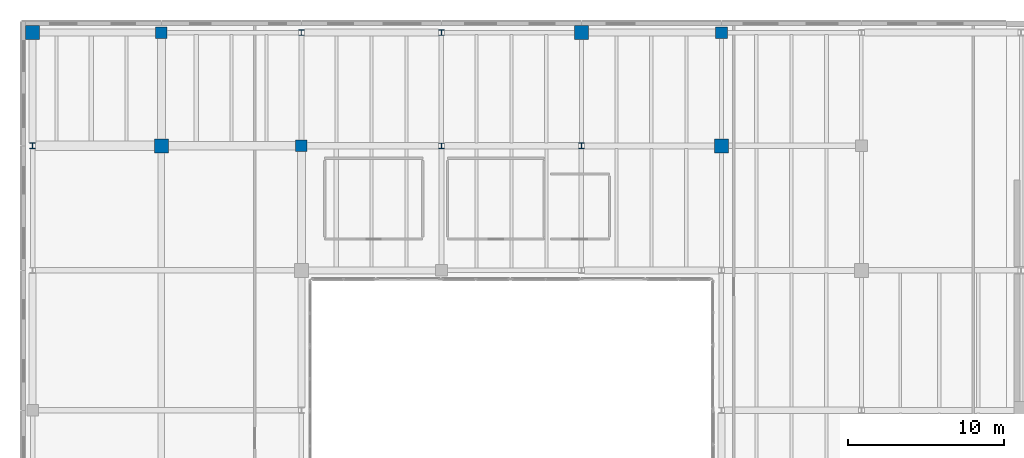
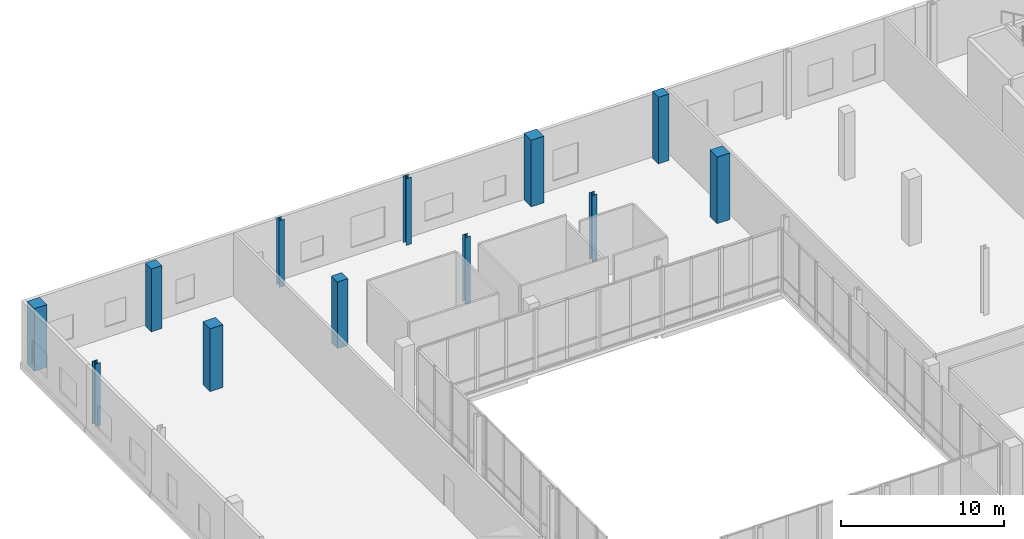
# One storey, part 9 of 73: 12 columns.
"""IFC4 building model written with IfcOpenShell, lengths in metres."""

from ifc_helpers import new_model, si_unit, direction, frame, origin, origin_2d, place, context, subcontext, project, spatial, rectangle, i_section, extrude, material, material_profile, profile_set, type_object, element, save


model = new_model("IFC4")

# Units and contexts
model_context = context("Model", 3, precision=1e-05, world=origin(), true_north=direction((0.0, 1.0)))
body_context = subcontext(model_context, "Body", "Model", "MODEL_VIEW")
ifc_project = project(units=[si_unit("LENGTHUNIT", "METRE"), si_unit("AREAUNIT", "SQUARE_METRE"), si_unit("VOLUMEUNIT", "CUBIC_METRE"), si_unit("PLANEANGLEUNIT", "RADIAN"), si_unit("MASSUNIT", "GRAM", prefix="KILO")], contexts=[model_context])

# Site, building, storey
site_placement = place(None, origin())
site = spatial("IfcSite", under=ifc_project, at=site_placement, CompositionType="ELEMENT")
building_placement = place(site_placement, origin())
building = spatial("IfcBuilding", under=site, at=building_placement, Name="Trimount Lyric Opera House", CompositionType="ELEMENT")
storey_placement = place(building_placement, frame((0.0, 0.0, 10.0)))
storey = spatial("IfcBuildingStorey", under=building, at=storey_placement, Name="L02", CompositionType="ELEMENT", Elevation=10.0)

# Columns
ifc_material_1 = material(Name="Steel ASTM A992 Grade 50", Category="steel")
ifc_material_profile_1 = material_profile(ifc_material_1, i_section(OverallWidth=0.373046875, OverallDepth=0.367919921875, WebThickness=0.014892578125, FlangeThickness=0.02392578125, FilletRadius=0.014892578125, at=origin_2d()), Name="W14X120")
ifc_profile_set_1 = profile_set([ifc_material_profile_1], Name="Steel ASTM A992 Grade 50")
column_type_1 = type_object("IfcColumnType", Name="C-04", PredefinedType="COLUMN", material=ifc_profile_set_1)
column_1_placement = place(storey_placement, frame((0.719970703125, 110.0, 0.0), z_axis=(0.0, 0.0, 1.0), x_axis=(1.0, 0.0, 0.0)))
element("IfcColumn", 1, at=column_1_placement, inside=storey, type_object=column_type_1, Name="L02 column 1/N", PredefinedType="COLUMN", context=body_context, shape_type="SweptSolid", body=[
    extrude(i_section(OverallWidth=0.373046875, OverallDepth=0.367919921875, WebThickness=0.014892578125, FlangeThickness=0.02392578125, FilletRadius=0.014892578125, at=origin_2d()), origin(), (0.0, 0.0, 1.0), 4.7099609375),
])
for number, where, z_axis, x_axis, name in (
    (2, (27.0, 117.280029296875, 0.0), (0.0, 0.0, 1.0), (1.0, 0.0, 0.0), "L02 column 4/P"),
    (3, (36.0, 110.0, 0.0), (0.0, 0.0, 1.0), (1.0, 0.0, 0.0), "L02 column 5/N"),
):
    element("IfcColumn", number, at=place(storey_placement, frame(where, z_axis=z_axis, x_axis=x_axis)), inside=storey, type_object=column_type_1, Name=name, PredefinedType="COLUMN", context=body_context, shape_type="SweptSolid", body=[
        extrude(i_section(OverallWidth=0.373046875, OverallDepth=0.367919921875, WebThickness=0.014892578125, FlangeThickness=0.02392578125, FilletRadius=0.014892578125, at=origin_2d()), origin(), (0.0, 0.0, 1.0), 5.0),
    ])
ifc_material_2 = material(Name="Steel ASTM A992 Grade 50", Category="steel")
ifc_material_profile_2 = material_profile(ifc_material_2, i_section(OverallWidth=0.367919921875, OverallDepth=0.35595703125, WebThickness=0.01123046875, FlangeThickness=0.01806640625, FilletRadius=0.014892578125, at=origin_2d()), Name="W14X90")
ifc_profile_set_2 = profile_set([ifc_material_profile_2], Name="Steel ASTM A992 Grade 50")
column_type_2 = type_object("IfcColumnType", Name="C-09", PredefinedType="COLUMN", material=ifc_profile_set_2)
for number, where, z_axis, x_axis, name in (
    (4, (18.0, 117.280029296875, 0.0), (0.0, 0.0, 1.0), (1.0, 0.0, 0.0), "L02 column 3/P"),
    (5, (27.0, 110.0, 0.0), (0.0, 0.0, 1.0), (1.0, 0.0, 0.0), "L02 column 4/N"),
):
    element("IfcColumn", number, at=place(storey_placement, frame(where, z_axis=z_axis, x_axis=x_axis)), inside=storey, type_object=column_type_2, Name=name, PredefinedType="COLUMN", context=body_context, shape_type="SweptSolid", body=[
        extrude(i_section(OverallWidth=0.367919921875, OverallDepth=0.35595703125, WebThickness=0.01123046875, FlangeThickness=0.01806640625, FilletRadius=0.014892578125, at=origin_2d()), origin(), (0.0, 0.0, 1.0), 5.0),
    ])
ifc_material_3 = material(Name="Concrete C50/60", Category="concrete")
ifc_material_profile_3 = material_profile(ifc_material_3, rectangle(XDim=0.89990234375, YDim=0.89990234375, at=origin_2d()), Name="RC900X900")
ifc_profile_set_3 = profile_set([ifc_material_profile_3], Name="Concrete C50/60")
column_type_3 = type_object("IfcColumnType", Name="C-13", PredefinedType="COLUMN", material=ifc_profile_set_3)
for number, where, z_axis, x_axis, name in (
    (6, (0.719970703125, 117.280029296875, 0.0), (0.0, 0.0, 1.0), (1.0, 0.0, 0.0), "L02 column 1/P"),
    (7, (9.0, 110.0, 0.0), (0.0, 0.0, 1.0), (1.0, 0.0, 0.0), "L02 column 2/N"),
):
    element("IfcColumn", number, at=place(storey_placement, frame(where, z_axis=z_axis, x_axis=x_axis)), inside=storey, type_object=column_type_3, Name=name, PredefinedType="COLUMN", context=body_context, shape_type="SweptSolid", body=[
        extrude(rectangle(XDim=0.89990234375, YDim=0.89990234375, at=origin_2d()), origin(), (0.0, 0.0, 1.0), 4.7099609375),
    ])
for number, where, z_axis, x_axis, name in (
    (8, (36.0, 117.280029296875, 0.0), (0.0, 0.0, 1.0), (1.0, 0.0, 0.0), "L02 column 5/P"),
    (9, (45.0, 110.0, 0.0), (0.0, 0.0, 1.0), (1.0, 0.0, 0.0), "L02 column 6/N"),
):
    element("IfcColumn", number, at=place(storey_placement, frame(where, z_axis=z_axis, x_axis=x_axis)), inside=storey, type_object=column_type_3, Name=name, PredefinedType="COLUMN", context=body_context, shape_type="SweptSolid", body=[
        extrude(rectangle(XDim=0.89990234375, YDim=0.89990234375, at=origin_2d()), origin(), (0.0, 0.0, 1.0), 5.0),
    ])
ifc_material_4 = material(Name="Concrete C40/50", Category="concrete")
ifc_material_profile_4 = material_profile(ifc_material_4, rectangle(XDim=0.75, YDim=0.75, at=origin_2d()), Name="RC750X750")
ifc_profile_set_4 = profile_set([ifc_material_profile_4], Name="Concrete C40/50")
column_type_4 = type_object("IfcColumnType", Name="C-15", PredefinedType="COLUMN", material=ifc_profile_set_4)
column_2_placement = place(storey_placement, frame((9.0, 117.280029296875, 0.0), z_axis=(0.0, 0.0, 1.0), x_axis=(1.0, 0.0, 0.0)))
element("IfcColumn", 10, at=column_2_placement, inside=storey, type_object=column_type_4, Name="L02 column 2/P", PredefinedType="COLUMN", context=body_context, shape_type="SweptSolid", body=[
    extrude(rectangle(XDim=0.75, YDim=0.75, at=origin_2d()), origin(), (0.0, 0.0, 1.0), 4.7099609375),
])
for number, where, z_axis, x_axis, name in (
    (11, (18.0, 110.0, 0.0), (0.0, 0.0, 1.0), (1.0, 0.0, 0.0), "L02 column 3/N"),
    (12, (45.0, 117.280029296875, 0.0), (0.0, 0.0, 1.0), (1.0, 0.0, 0.0), "L02 column 6/P"),
):
    element("IfcColumn", number, at=place(storey_placement, frame(where, z_axis=z_axis, x_axis=x_axis)), inside=storey, type_object=column_type_4, Name=name, PredefinedType="COLUMN", context=body_context, shape_type="SweptSolid", body=[
        extrude(rectangle(XDim=0.75, YDim=0.75, at=origin_2d()), origin(), (0.0, 0.0, 1.0), 5.0),
    ])

save(model, "model.ifc")
